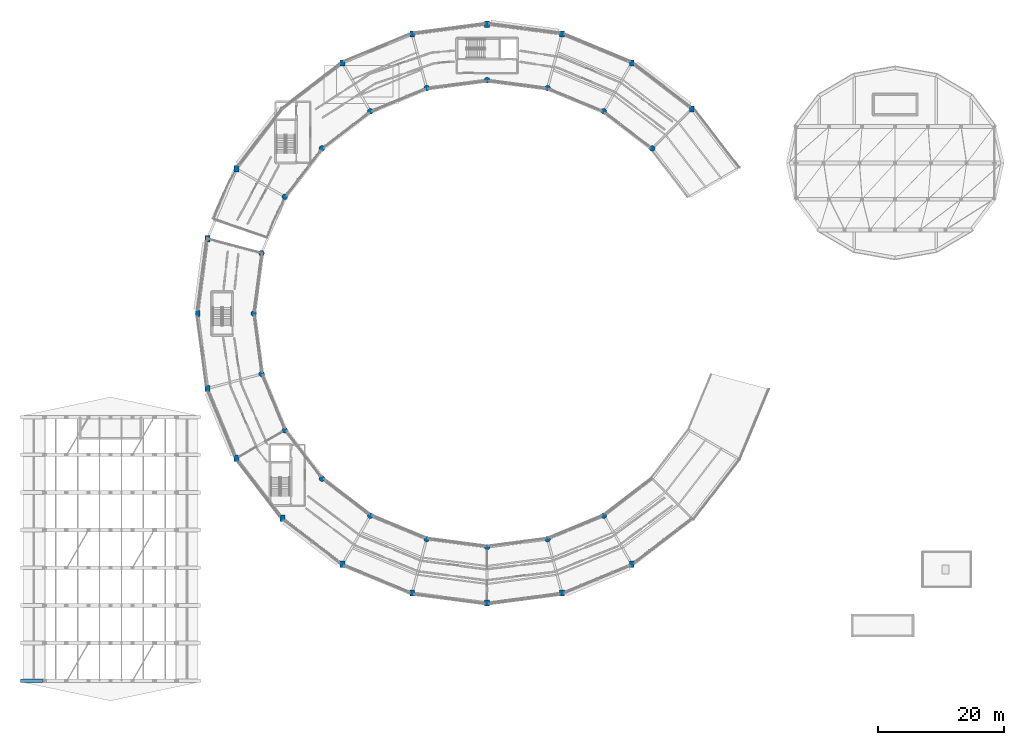
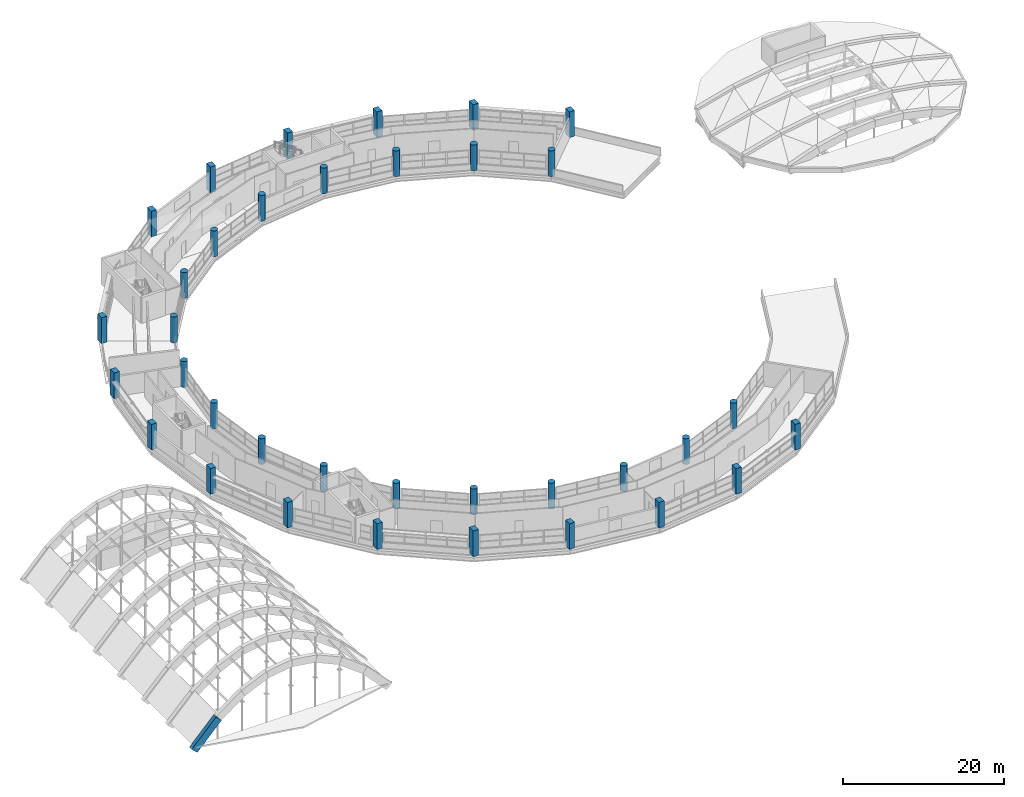
# One storey, part 1 of 88: 35 columns, 1 beam.
"""IFC4 building model written with IfcOpenShell, lengths in metres."""

import ifcopenshell
import ifcopenshell.guid

model = None  # the IFC model being written
_history = None  # IfcOwnerHistory: only IFC2X3 demands one
_inside = {}  # id of a spatial element -> (the spatial element, [elements in it])
_under = {}  # id of a project, library or spatial element -> (it, [spatial elements below it])
_declared = {}  # id of a project -> (the project, [libraries it declares])
_typed = {}  # id of a type object -> (the type object, [elements of that type])
_made_of = {}  # id of a material, layer set ... -> (it, [elements and type objects made of it])


def new_model(schema):
    """Start an empty IFC model of exactly this schema.

    Asked for "IFC4X3", IfcOpenShell would pick the latest addendum, in which some entities
    have other attributes; the version numbers below select the first issue.
    IFC2X3 requires an IfcOwnerHistory on every rooted entity: one is made here for all.
    """
    global model, _history
    if schema == "IFC4X3":
        model = ifcopenshell.file(schema_version=(4, 3, 0, 0))
    else:
        model = ifcopenshell.file(schema=schema)
    _inside.clear()
    _under.clear()
    _declared.clear()
    _typed.clear()
    _made_of.clear()
    _history = None
    if model.schema == "IFC2X3":
        org = make("IfcOrganization", Name="unknown")
        user = make(
            "IfcPersonAndOrganization",
            ThePerson=make("IfcPerson", FamilyName="unknown"),
            TheOrganization=org,
        )
        app = make(
            "IfcApplication",
            ApplicationDeveloper=org,
            Version="unknown",
            ApplicationFullName="unknown",
            ApplicationIdentifier="unknown",
        )
        _history = make(
            "IfcOwnerHistory",
            OwningUser=user,
            OwningApplication=app,
            ChangeAction="ADDED",
            CreationDate=0,
        )
    return model


def make(cls, **values):
    """One entity of the class cls with the attributes given. An attribute that is None is left unset."""
    return model.create_entity(
        cls, **{name: value for name, value in values.items() if value is not None}
    )


def rooted(cls, **values):
    """An entity with a GlobalId (a new one), such as an element, a storey or a relation."""
    return make(cls, GlobalId=ifcopenshell.guid.new(), OwnerHistory=_history, **values)


def si_unit(unit_type, name, prefix=None):
    """IfcSIUnit, for example si_unit("LENGTHUNIT", "METRE", prefix="MILLI")."""
    return make("IfcSIUnit", UnitType=unit_type, Prefix=prefix, Name=name)


def assignment(units):
    """IfcUnitAssignment: the units of a project."""
    return None if units is None else make("IfcUnitAssignment", Units=units)


def point(xyz):
    """IfcCartesianPoint."""
    return None if xyz is None else make("IfcCartesianPoint", Coordinates=xyz)


def direction(xyz):
    """IfcDirection."""
    return None if xyz is None else make("IfcDirection", DirectionRatios=xyz)


def frame(location, z_axis=None, x_axis=None):
    """IfcAxis2Placement3D, a coordinate frame: its origin and axes. An axis left out is left unset."""
    return make(
        "IfcAxis2Placement3D",
        Location=point(location),
        Axis=direction(z_axis),
        RefDirection=direction(x_axis),
    )


def frame_2d(location, x_axis=None):
    """IfcAxis2Placement2D, a coordinate frame in the plane: its origin and x axis."""
    return make(
        "IfcAxis2Placement2D", Location=point(location), RefDirection=direction(x_axis)
    )


def origin():
    """The frame at (0, 0, 0) with its axes left unset."""
    return frame((0.0, 0.0, 0.0))


def origin_2d():
    """The frame at (0, 0) in the plane with its x axis left unset."""
    return frame_2d((0.0, 0.0))


def place(relative_to, where):
    """IfcLocalPlacement: puts the frame where relative to a parent placement (None: the world)."""
    return make(
        "IfcLocalPlacement", PlacementRelTo=relative_to, RelativePlacement=where
    )


def context(
    kind, dimensions, precision=None, world=None, true_north=None, identifier=None
):
    """IfcGeometricRepresentationContext, for example the 3D "Model" context."""
    return make(
        "IfcGeometricRepresentationContext",
        ContextIdentifier=identifier,
        ContextType=kind,
        CoordinateSpaceDimension=dimensions,
        Precision=precision,
        WorldCoordinateSystem=world,
        TrueNorth=true_north,
    )


def subcontext(parent, identifier, kind, view, scale=None):
    """IfcGeometricRepresentationSubContext, for example "Body" below "Model"."""
    return make(
        "IfcGeometricRepresentationSubContext",
        ContextIdentifier=identifier,
        ContextType=kind,
        ParentContext=parent,
        TargetScale=scale,
        TargetView=view,
    )


def project(units=None, contexts=None):
    """IfcProject with its units and contexts."""
    return rooted(
        "IfcProject",
        Name="project",
        RepresentationContexts=contexts,
        UnitsInContext=assignment(units),
    )


def spatial(cls, under=None, at=None, **own):
    """A site, building, storey or space (cls), placed at a placement, below another one or the project."""
    s = rooted(cls, ObjectPlacement=at, **own)
    if under is not None:
        _under.setdefault(under.id(), (under, []))[1].append(s)
    return s


def profile(cls, at=None, kind="AREA", **sizes):
    """A parametric profile (cls). Its sizes go by their IFC names, for example OverallWidth=200.0."""
    return make(cls, ProfileType=kind, Position=at, **sizes)


def rectangle(**sizes):
    """IfcRectangleProfileDef."""
    return profile("IfcRectangleProfileDef", **sizes)


def circle(**sizes):
    """IfcCircleProfileDef."""
    return profile("IfcCircleProfileDef", **sizes)


def extrude(swept, where, along, depth):
    """IfcExtrudedAreaSolid: the profile swept, set in the frame where, extruded along a direction by depth."""
    return make(
        "IfcExtrudedAreaSolid",
        SweptArea=swept,
        Position=where,
        ExtrudedDirection=direction(along),
        Depth=depth,
    )


def shape(context_of_items, identifier, shape_type, items):
    """IfcShapeRepresentation: the items that make up one representation, for example the "Body"."""
    return make(
        "IfcShapeRepresentation",
        ContextOfItems=context_of_items,
        RepresentationIdentifier=identifier,
        RepresentationType=shape_type,
        Items=items,
    )


def material(Name=None, Category=None):
    """IfcMaterial."""
    return make("IfcMaterial", Name=Name, Category=Category)


def material_profile(
    of_material, cross_section, Name=None, Category=None, Priority=None
):
    """IfcMaterialProfile: a cross section and its material."""
    return make(
        "IfcMaterialProfile",
        Name=Name,
        Material=of_material,
        Profile=cross_section,
        Priority=Priority,
        Category=Category,
    )


def profile_set(profiles, Name=None, composite=None):
    """IfcMaterialProfileSet."""
    return make(
        "IfcMaterialProfileSet",
        Name=Name,
        MaterialProfiles=profiles,
        CompositeProfile=composite,
    )


def made_of(thing, what):
    """Note that an element or type object is made of a material, layer set ...; save() writes the relation."""
    if what is not None:
        _made_of.setdefault(what.id(), (what, []))[1].append(thing)
    return thing


def type_object(cls, material=None, **own):
    """A type object (cls), such as IfcWallType, which elements share."""
    return made_of(rooted(cls, **own), material)


def element(
    cls,
    number,
    at=None,
    inside=None,
    cuts=None,
    type_object=None,
    material=None,
    context=None,
    identifier="Body",
    shape_type=None,
    held_by="IfcProductDefinitionShape",
    body=None,
    shapes=None,
    **own,
):
    """One element of the class cls, such as IfcWall. Its Tag is "e" and its number.

    at: its placement. inside: the storey or other place that contains it. cuts: it is an
    opening in that element (IfcRelVoidsElement). A single representation is given by context,
    identifier, shape_type and body (its items); several are given by shapes. held_by: the class
    of the entity that holds the representations. save() writes the other relations.
    """
    e = rooted(cls, Tag="e%d" % number, ObjectPlacement=at, **own)
    if body is not None:
        shapes = [shape(context, identifier, shape_type, body)]
    if shapes is not None:
        e.Representation = make(held_by, Representations=shapes)
    if inside is not None:
        _inside.setdefault(inside.id(), (inside, []))[1].append(e)
    if cuts is not None:
        rooted(
            "IfcRelVoidsElement", RelatingBuildingElement=cuts, RelatedOpeningElement=e
        )
    if type_object is not None:
        _typed.setdefault(type_object.id(), (type_object, []))[1].append(e)
    return made_of(e, material)


def aggregate(whole, parts):
    """IfcRelAggregates: a whole, such as a stair, and the parts it consists of."""
    return rooted("IfcRelAggregates", RelatingObject=whole, RelatedObjects=parts)


def save(model, path):
    """Write the relations noted so far, then the file.

    IfcRelAggregates (storeys below a building ...), IfcRelContainedInSpatialStructure (elements
    in a storey), IfcRelDefinesByType, IfcRelAssociatesMaterial and IfcRelDeclares: one each for
    every whole, place, type object, material and project.
    """
    for whole, parts in _under.values():
        aggregate(whole, parts)
    for where, things in _inside.values():
        rooted(
            "IfcRelContainedInSpatialStructure",
            RelatedElements=things,
            RelatingStructure=where,
        )
    for kind, things in _typed.values():
        rooted("IfcRelDefinesByType", RelatedObjects=things, RelatingType=kind)
    for what, things in _made_of.values():
        rooted("IfcRelAssociatesMaterial", RelatedObjects=things, RelatingMaterial=what)
    for by, libraries in _declared.values():
        rooted("IfcRelDeclares", RelatingContext=by, RelatedDefinitions=libraries)
    model.write(path)


model = new_model("IFC4")

# Units and contexts
model_context = context("Model", 3, precision=1e-05, world=origin(), true_north=direction((0.0, 1.0)))
body_context = subcontext(model_context, "Body", "Model", "MODEL_VIEW")
ifc_project = project(units=[si_unit("LENGTHUNIT", "METRE"), si_unit("AREAUNIT", "SQUARE_METRE"), si_unit("VOLUMEUNIT", "CUBIC_METRE"), si_unit("PLANEANGLEUNIT", "RADIAN"), si_unit("MASSUNIT", "GRAM", prefix="KILO")], contexts=[model_context])

# Site, building, storey
site_placement = place(None, origin())
site = spatial("IfcSite", under=ifc_project, at=site_placement, CompositionType="ELEMENT")
building_placement = place(site_placement, origin())
building = spatial("IfcBuilding", under=site, at=building_placement, Name="Vespera Passage Community Centre", CompositionType="ELEMENT")
storey_placement = place(building_placement, frame((0.0, 0.0, 16.5)))
storey = spatial("IfcBuildingStorey", under=building, at=storey_placement, Name="L04", CompositionType="ELEMENT", Elevation=16.5)

# Columns
ifc_material_1 = material(Name="Concrete f'c 45 MPa", Category="concrete")
ifc_material_profile_1 = material_profile(ifc_material_1, rectangle(XDim=0.75, YDim=1.0, at=origin_2d()), Name="RC1000X750")
ifc_profile_set_1 = profile_set([ifc_material_profile_1], Name="Concrete f'c 45 MPa")
column_type_1 = type_object("IfcColumnType", Name="COL-RC1000X750E", PredefinedType="COLUMN", material=ifc_profile_set_1)
for number, where, z_axis, x_axis, name in (
    (1, (101.050048828125, 105.423828125, 0.0), (0.0, 0.0, 1.0), (1.0, 0.0, 0.0), "L04 Column V4-O04"),
    (2, (89.931640625, 110.029296875, 0.0), (0.0, 0.0, 1.0), (1.0, 0.0, 0.0), "L04 Column V4-O05"),
    (3, (78.0, 111.60009765625, 0.0), (0.0, 0.0, 1.0), (1.0, 0.0, 0.0), "L04 Column V4-O06"),
    (4, (66.068359375, 110.029296875, 0.0), (0.0, 0.0, 1.0), (1.0, 0.0, 0.0), "L04 Column V4-O07"),
    (5, (54.949951171875, 105.423828125, 0.0), (0.0, 0.0, 1.0), (1.0, 0.0, 0.0), "L04 Column V4-O08"),
    (6, (38.076171875, 88.550048828125, 0.0), (0.0, 0.0, 1.0), (1.0, 0.0, 0.0), "L04 Column V4-O10"),
    (7, (33.470703125, 77.431640625, 0.0), (0.0, 0.0, 1.0), (1.0, 0.0, 0.0), "L04 Column V4-O11"),
    (8, (31.89990234375, 65.5, 0.0), (0.0, 0.0, 1.0), (1.0, 0.0, 0.0), "L04 Column V4-O12"),
    (9, (33.470703125, 53.568359375, 0.0), (0.0, 0.0, 1.0), (1.0, 0.0, 0.0), "L04 Column V4-O13"),
    (10, (38.076171875, 42.449951171875, 0.0), (0.0, 0.0, 1.0), (1.0, 0.0, 0.0), "L04 Column V4-O14"),
    (11, (45.40234375, 32.90234375, 0.0), (0.0, 0.0, 1.0), (1.0, 0.0, 0.0), "L04 Column V4-O15"),
    (12, (66.068359375, 20.970703125, 0.0), (0.0, 0.0, 1.0), (1.0, 0.0, 0.0), "L04 Column V4-O17"),
    (13, (89.931640625, 20.970703125, 0.0), (0.0, 0.0, 1.0), (1.0, 0.0, 0.0), "L04 Column V4-O19"),
    (14, (110.59765625, 98.09765625, 0.0), (0.0, 0.0, 1.0), (1.0, 0.0, 0.0), "L04 Column V4-O03"),
    (15, (54.949951171875, 25.576171875, 0.0), (0.0, 0.0, 1.0), (1.0, 0.0, 0.0), "L04 Column V4-O16"),
    (16, (78.0, 19.39990234375, 0.0), (0.0, 0.0, 1.0), (1.0, 0.0, 0.0), "L04 Column V4-O18"),
    (17, (101.050048828125, 25.576171875, 0.0), (0.0, 0.0, 1.0), (1.0, 0.0, 0.0), "L04 Column V4-O20"),
):
    element("IfcColumn", number, at=place(storey_placement, frame(where, z_axis=z_axis, x_axis=x_axis)), inside=storey, type_object=column_type_1, Name=name, PredefinedType="COLUMN", context=body_context, shape_type="SweptSolid", body=[
        extrude(rectangle(XDim=0.75, YDim=1.0, at=origin_2d()), origin(), (0.0, 0.0, 1.0), 3.89990234375),
    ])
ifc_material_2 = material(Name="Concrete f'c 45 MPa", Category="concrete")
ifc_material_profile_2 = material_profile(ifc_material_2, circle(Radius=0.449951171875, at=origin_2d()), Name="RC900DIA")
ifc_profile_set_2 = profile_set([ifc_material_profile_2], Name="Concrete f'c 45 MPa")
column_type_2 = type_object("IfcColumnType", Name="COL-RC900DIAE", PredefinedType="COLUMN", material=ifc_profile_set_2)
for number, where, z_axis, x_axis, name in (
    (18, (96.60009765625, 97.716064453125, 0.0), (0.0, 0.0, 1.0), (1.0, 0.0, 0.0), "L04 Column V4-I04"),
    (19, (87.628173828125, 101.432373046875, 0.0), (0.0, 0.0, 1.0), (1.0, 0.0, 0.0), "L04 Column V4-I05"),
    (20, (78.0, 102.699951171875, 0.0), (0.0, 0.0, 1.0), (1.0, 0.0, 0.0), "L04 Column V4-I06"),
    (21, (68.371826171875, 101.432373046875, 0.0), (0.0, 0.0, 1.0), (1.0, 0.0, 0.0), "L04 Column V4-I07"),
    (22, (59.39990234375, 97.716064453125, 0.0), (0.0, 0.0, 1.0), (1.0, 0.0, 0.0), "L04 Column V4-I08"),
    (23, (51.695556640625, 91.804443359375, 0.0), (0.0, 0.0, 1.0), (1.0, 0.0, 0.0), "L04 Column V4-I09"),
    (24, (45.783935546875, 84.10009765625, 0.0), (0.0, 0.0, 1.0), (1.0, 0.0, 0.0), "L04 Column V4-I10"),
    (25, (42.067626953125, 75.128173828125, 0.0), (0.0, 0.0, 1.0), (1.0, 0.0, 0.0), "L04 Column V4-I11"),
    (26, (40.800048828125, 65.5, 0.0), (0.0, 0.0, 1.0), (1.0, 0.0, 0.0), "L04 Column V4-I12"),
    (27, (42.067626953125, 55.871826171875, 0.0), (0.0, 0.0, 1.0), (1.0, 0.0, 0.0), "L04 Column V4-I13"),
    (28, (45.783935546875, 46.89990234375, 0.0), (0.0, 0.0, 1.0), (1.0, 0.0, 0.0), "L04 Column V4-I14"),
    (29, (51.695556640625, 39.195556640625, 0.0), (0.0, 0.0, 1.0), (1.0, 0.0, 0.0), "L04 Column V4-I15"),
    (30, (68.371826171875, 29.567626953125, 0.0), (0.0, 0.0, 1.0), (1.0, 0.0, 0.0), "L04 Column V4-I17"),
    (31, (87.628173828125, 29.567626953125, 0.0), (0.0, 0.0, 1.0), (1.0, 0.0, 0.0), "L04 Column V4-I19"),
    (32, (104.304443359375, 91.804443359375, 0.0), (0.0, 0.0, 1.0), (1.0, 0.0, 0.0), "L04 Column V4-I03"),
    (33, (59.39990234375, 33.283935546875, 0.0), (0.0, 0.0, 1.0), (1.0, 0.0, 0.0), "L04 Column V4-I16"),
    (34, (78.0, 28.300048828125, 0.0), (0.0, 0.0, 1.0), (1.0, 0.0, 0.0), "L04 Column V4-I18"),
    (35, (96.60009765625, 33.283935546875, 0.0), (0.0, 0.0, 1.0), (1.0, 0.0, 0.0), "L04 Column V4-I20"),
):
    element("IfcColumn", number, at=place(storey_placement, frame(where, z_axis=z_axis, x_axis=x_axis)), inside=storey, type_object=column_type_2, Name=name, PredefinedType="COLUMN", context=body_context, shape_type="SweptSolid", body=[
        extrude(circle(Radius=0.449951171875, at=origin_2d()), origin(), (0.0, 0.0, 1.0), 3.89990234375),
    ])

# Beam
ifc_material_3 = material(Name="Concrete f'c 45 MPa", Category="concrete")
ifc_material_profile_3 = material_profile(ifc_material_3, rectangle(XDim=0.60009765625, YDim=1.10009765625, at=origin_2d()), Name="RC600X1100")
ifc_profile_set_3 = profile_set([ifc_material_profile_3], Name="Concrete f'c 45 MPa")
beam_type = type_object("IfcBeamType", Name="BM-AR-600X1100", PredefinedType="USERDEFINED", material=ifc_profile_set_3)
beam_placement = place(storey_placement, frame((4.050048828125, 7.0, -0.550048828125), z_axis=(0.688360568967, 0.0, 0.725368683561), x_axis=(0.0, 1.0, 0.0)))
element("IfcBeam", 36, at=beam_placement, inside=storey, type_object=beam_type, Name="Main Hall Barrel Vault Arch Rib AR1 Seg 1", ObjectType="ARCH RIB", PredefinedType="USERDEFINED", context=body_context, shape_type="SweptSolid", body=[
    extrude(rectangle(XDim=0.60009765625, YDim=1.10009765625, at=origin_2d()), origin(), (0.0, 0.0, 1.0), 5.06640625),
])

save(model, "model.ifc")
